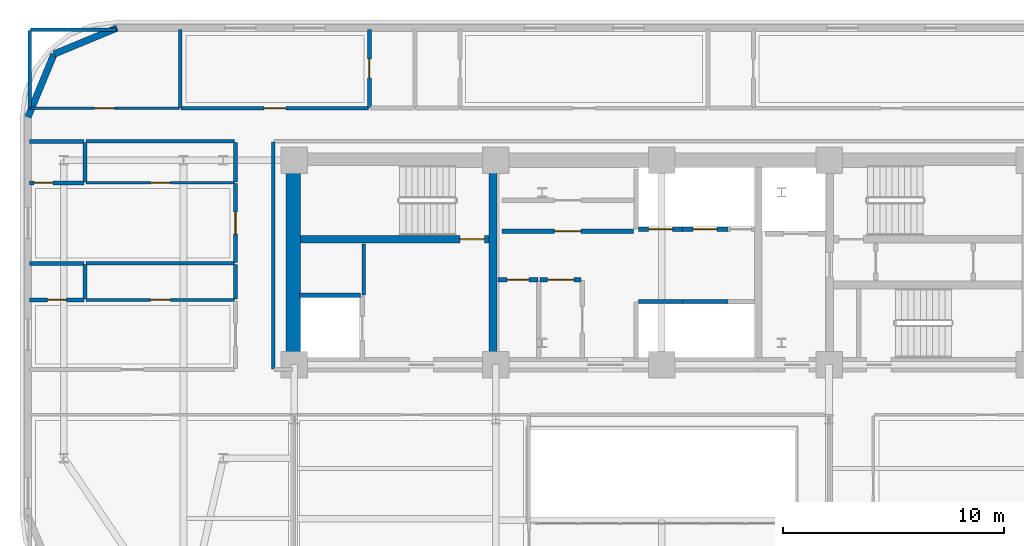
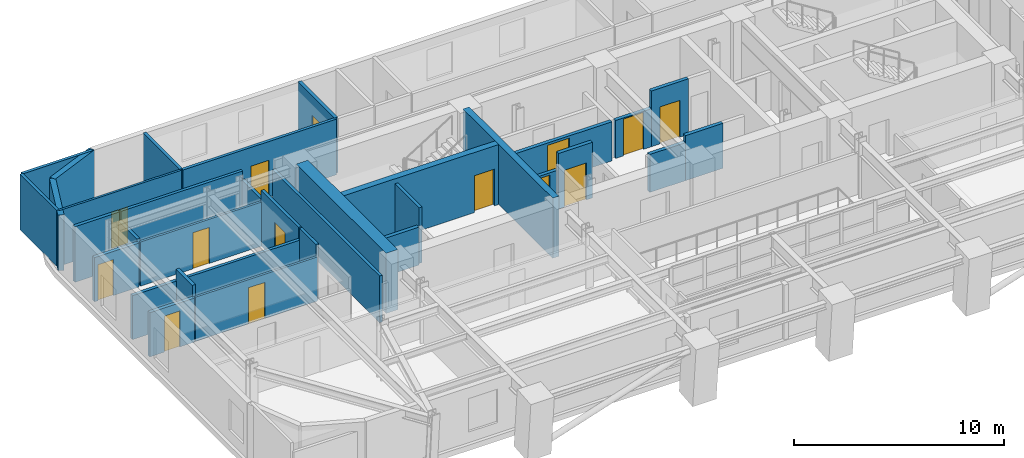
# One storey, part 9 of 15: 34 walls, 14 doors, 14 openings.
"""IFC4 building model written with IfcOpenShell, lengths in metres."""

from ifc_helpers import new_model, si_unit, direction, frame, frame_2d, origin, place, context, subcontext, project, spatial, rectangle, extrude, material, layer, layer_set, type_object, element, fill, save


model = new_model("IFC4")

# Units and contexts
model_context = context("Model", 3, precision=1e-05, world=origin(), true_north=direction((0.0, 1.0)))
body_context = subcontext(model_context, "Body", "Model", "MODEL_VIEW")
ifc_project = project(units=[si_unit("LENGTHUNIT", "METRE"), si_unit("AREAUNIT", "SQUARE_METRE"), si_unit("VOLUMEUNIT", "CUBIC_METRE"), si_unit("PLANEANGLEUNIT", "RADIAN"), si_unit("MASSUNIT", "GRAM", prefix="KILO")], contexts=[model_context])

# Site, building, storey
site_placement = place(None, origin())
site = spatial("IfcSite", under=ifc_project, at=site_placement, CompositionType="ELEMENT")
building_placement = place(site_placement, origin())
building = spatial("IfcBuilding", under=site, at=building_placement, Name="Zarnavel Station Tower", CompositionType="ELEMENT")
storey_placement = place(building_placement, frame((0.0, 0.0, 125.800048828125)))
storey = spatial("IfcBuildingStorey", under=building, at=storey_placement, Name="L34", CompositionType="ELEMENT", Elevation=125.800048828125)

# Wall
ifc_material_1 = material(Name="Concrete C50/60", Category="concrete")
ifc_layer_1 = layer(ifc_material_1, 0.35009765625)
ifc_layer_set_1 = layer_set([ifc_layer_1], Name="CW_350")
wall_type_1 = type_object("IfcWallType", Name="CW_350", PredefinedType="SHEAR", material=ifc_layer_set_1)
wall_1_placement = place(storey_placement, frame((21.179931640625, 28.14501953125, 0.0), z_axis=(0.0, 0.0, 1.0), x_axis=(0.0, 1.0, 0.0)))
element("IfcWall", 1, at=wall_1_placement, inside=storey, type_object=wall_type_1, Name="L34 Rear Core Shear Wall DIV-W", PredefinedType="SHEAR", context=body_context, shape_type="SweptSolid", body=[
    extrude(rectangle(XDim=8.580078125, YDim=0.35009765625, at=frame_2d((4.2900390625, 0.0))), origin(), (0.0, 0.0, 1.0), 3.5),
])

# Wall, opening, door
wall_2_placement = place(storey_placement, frame((21.0048828125, 33.47998046875, 0.0), z_axis=(0.0, 0.0, 1.0), x_axis=(-1.0, 0.0, 0.0)))
wall_2 = element("IfcWall", 2, at=wall_2_placement, inside=storey, type_object=wall_type_1, Name="L34 Rear Core Shear Wall DIV-H1", PredefinedType="SHEAR", context=body_context, shape_type="SweptSolid", body=[
    extrude(rectangle(XDim=8.52978515625, YDim=0.35009765625, at=frame_2d((4.264892578125, 0.0))), origin(), (0.0, 0.0, 1.0), 3.5),
])
opening_1_placement = place(wall_2_placement, frame((0.219970703125, 0.0, 0.0)))
opening_1 = element("IfcOpeningElement", 3, at=opening_1_placement, cuts=wall_2, Name="Opening FD01", PredefinedType="OPENING", context=body_context, shape_type="SweptSolid", body=[
    extrude(rectangle(XDim=1.10009765625, YDim=2.14990234375, at=frame_2d((0.550048828125, 1.074951171875))), frame((0.0, 0.18505859375, 0.0), z_axis=(0.0, -1.0, 0.0), x_axis=(1.0, 0.0, 0.0)), (0.0, 0.0, 1.0), 0.3701171875),
])
ifc_material_2 = material(Name="Painted Galvanised Steel and Hardwood Leaf", Category="steel")
door_type_1 = type_object("IfcDoorType", Name="ID_STAIR_1100", OperationType="NOTDEFINED", PredefinedType="DOOR", material=ifc_material_2)
door_1_placement = place(opening_1_placement, origin())
door_1 = element("IfcDoor", 4, at=door_1_placement, inside=storey, type_object=door_type_1, Name="L34 Stair ST1 Lobby Fire Door", OperationType="SINGLE_SWING_LEFT", OverallHeight=2.14990234375, OverallWidth=1.10009765625, PredefinedType="DOOR", context=body_context, shape_type="SweptSolid", body=[
    extrude(rectangle(XDim=1.10009765625, YDim=2.14990234375, at=frame_2d((0.550048828125, 1.074951171875))), frame((0.0, 0.02490234375, 0.0), z_axis=(0.0, -1.0, 0.0), x_axis=(1.0, 0.0, 0.0)), (0.0, 0.0, 1.0), 0.050048828125),
])
fill(opening_1, door_1)

# Walls
ifc_material_3 = material(Name="Concrete C60/75", Category="concrete")
ifc_layer_2 = layer(ifc_material_3, 0.64990234375)
ifc_layer_set_2 = layer_set([ifc_layer_2], Name="CW_650")
wall_type_2 = type_object("IfcWallType", Name="CW_650", PredefinedType="SHEAR", material=ifc_layer_set_2)
wall_3_placement = place(storey_placement, frame((12.14990234375, 28.14501953125, 0.0), z_axis=(0.0, 0.0, 1.0), x_axis=(0.0, 1.0, 0.0)))
element("IfcWall", 5, at=wall_3_placement, inside=storey, type_object=wall_type_2, Name="L34 Rear Core Shear Wall W", PredefinedType="SHEAR", context=body_context, shape_type="SweptSolid", body=[
    extrude(rectangle(XDim=8.580078125, YDim=0.64990234375, at=frame_2d((4.2900390625, 0.0))), origin(), (0.0, 0.0, 1.0), 3.5),
])
ifc_material_4 = material(Name="Precast concrete C45/55 (Dark Basalt Finish)", Category="masonry")
ifc_layer_3 = layer(ifc_material_4, 0.300048828125)
ifc_layer_set_3 = layer_set([ifc_layer_3], Name="EW_BASALT_300")
wall_type_3 = type_object("IfcWallType", Name="EW_BASALT_300", PredefinedType="SOLIDWALL", material=ifc_layer_set_3)
for number, where, z_axis, x_axis, name in (
    (6, (1.357421875, 41.842529296875, 0.0), (0.0, 0.0, 1.0), (0.923870793506, 0.382704529509, 0.0), "L34 Exterior Basalt Masonry Frame Wall 07"),
    (7, (0.179931640625, 39.0, 0.0), (0.0, 0.0, 1.0), (0.382704529509, 0.923870793506, 0.0), "L34 Exterior Basalt Masonry Frame Wall 08"),
):
    element("IfcWall", number, at=place(storey_placement, frame(where, z_axis=z_axis, x_axis=x_axis)), inside=storey, type_object=wall_type_3, Name=name, PredefinedType="SOLIDWALL", context=body_context, shape_type="SweptSolid", body=[
        extrude(rectangle(XDim=3.07666015625, YDim=0.300048828125, at=frame_2d((1.538330078125, 0.0))), origin(), (0.0, 0.0, 1.0), 3.239990234375),
    ])
ifc_material_5 = material(Name="Gypsum Twin-Stud Acoustic Fire Partition", Category="concrete")
ifc_layer_4 = layer(ifc_material_5, 0.159912109375)
ifc_layer_set_4 = layer_set([ifc_layer_4], Name="PT_DEMISE_160")
wall_type_4 = type_object("IfcWallType", Name="PT_DEMISE_160", PredefinedType="PARTITIONING", material=ifc_layer_set_4)
wall_4_placement = place(storey_placement, frame((9.550048828125, 30.781005859375, 0.0), z_axis=(0.0, 0.0, 1.0), x_axis=(0.0, 1.0, 0.0)))
element("IfcWall", 8, at=wall_4_placement, inside=storey, type_object=wall_type_4, Name="L34 Partition COR-W-FNW1S", PredefinedType="PARTITIONING", context=body_context, shape_type="SweptSolid", body=[
    extrude(rectangle(XDim=1.570068359375, YDim=0.159912109375, at=frame_2d((0.78515625, 0.0))), origin(), (0.0, 0.0, 1.0), 3.239990234375),
])

# Wall, opening, door
wall_5_placement = place(storey_placement, frame((9.550048828125, 32.430908203125, 0.0), z_axis=(0.0, 0.0, 1.0), x_axis=(0.0, 1.0, 0.0)))
wall_5 = element("IfcWall", 9, at=wall_5_placement, inside=storey, type_object=wall_type_4, Name="L34 Partition COR-W-FNW2R", PredefinedType="PARTITIONING", context=body_context, shape_type="SweptSolid", body=[
    extrude(rectangle(XDim=3.55615234375, YDim=0.159912109375, at=frame_2d((1.778076171875, 0.0))), origin(), (0.0, 0.0, 1.0), 3.239990234375),
])
opening_2_placement = place(wall_5_placement, frame((1.278076171875, 0.0, 0.0)))
opening_2 = element("IfcOpeningElement", 10, at=opening_2_placement, cuts=wall_5, Name="Opening FD02", PredefinedType="OPENING", context=body_context, shape_type="SweptSolid", body=[
    extrude(rectangle(XDim=1.0, YDim=2.14990234375, at=frame_2d((0.5, 1.074951171875))), frame((0.0, 0.08984375, 0.0), z_axis=(0.0, -1.0, 0.0), x_axis=(1.0, 0.0, 0.0)), (0.0, 0.0, 1.0), 0.179931640625),
])
ifc_material_6 = material(Name="Painted Galvanised Steel and Hardwood Leaf", Category="steel")
door_type_2 = type_object("IfcDoorType", Name="ID_ENTRY_1000", OperationType="NOTDEFINED", PredefinedType="DOOR", material=ifc_material_6)
door_2_placement = place(opening_2_placement, origin())
door_2 = element("IfcDoor", 11, at=door_2_placement, inside=storey, type_object=door_type_2, Name="L34 Door COR-W-FNW2R", OperationType="SINGLE_SWING_LEFT", OverallHeight=2.14990234375, OverallWidth=1.0, PredefinedType="DOOR", context=body_context, shape_type="SweptSolid", body=[
    extrude(rectangle(XDim=1.0, YDim=2.14990234375, at=frame_2d((0.5, 1.074951171875))), frame((0.0, 0.02490234375, 0.0), z_axis=(0.0, -1.0, 0.0), x_axis=(1.0, 0.0, 0.0)), (0.0, 0.0, 1.0), 0.050048828125),
])
fill(opening_2, door_2)

# Walls
wall_6_placement = place(storey_placement, frame((9.550048828125, 36.06689453125, 0.0), z_axis=(0.0, 0.0, 1.0), x_axis=(0.0, 1.0, 0.0)))
element("IfcWall", 12, at=wall_6_placement, inside=storey, type_object=wall_type_4, Name="L34 Partition COR-W-FNW2S", PredefinedType="PARTITIONING", context=body_context, shape_type="SweptSolid", body=[
    extrude(rectangle(XDim=1.793212890625, YDim=0.159912109375, at=frame_2d((0.896484375, 0.0))), origin(), (0.0, 0.0, 1.0), 2.719970703125),
])
wall_7_placement = place(storey_placement, frame((2.800048828125, 37.89990234375, 0.0), z_axis=(0.0, 0.0, 1.0), x_axis=(1.0, 0.0, 0.0)))
element("IfcWall", 13, at=wall_7_placement, inside=storey, type_object=wall_type_4, Name="L34 Partition COR-N-FNW2S", PredefinedType="PARTITIONING", context=body_context, shape_type="SweptSolid", body=[
    extrude(rectangle(XDim=6.7099609375, YDim=0.159912109375, at=frame_2d((3.35498046875, 0.0))), origin(), (0.0, 0.0, 1.0), 3.239990234375),
])

# Wall, opening, door
wall_8_placement = place(storey_placement, frame((7.10009765625, 39.39990234375, 0.0), z_axis=(0.0, 0.0, 1.0), x_axis=(1.0, 0.0, 0.0)))
wall_8 = element("IfcWall", 14, at=wall_8_placement, inside=storey, type_object=wall_type_4, Name="L34 Partition COR-N-HN1R", PredefinedType="PARTITIONING", context=body_context, shape_type="SweptSolid", body=[
    extrude(rectangle(XDim=8.454833984375, YDim=0.159912109375, at=frame_2d((4.2275390625, 0.0))), origin(), (0.0, 0.0, 1.0), 3.239990234375),
])
opening_3_placement = place(wall_8_placement, frame((3.7275390625, 0.0, 0.0)))
opening_3 = element("IfcOpeningElement", 15, at=opening_3_placement, cuts=wall_8, Name="Opening FD02", PredefinedType="OPENING", context=body_context, shape_type="SweptSolid", body=[
    extrude(rectangle(XDim=1.0, YDim=2.14990234375, at=frame_2d((0.5, 1.074951171875))), frame((0.0, 0.08984375, 0.0), z_axis=(0.0, -1.0, 0.0), x_axis=(1.0, 0.0, 0.0)), (0.0, 0.0, 1.0), 0.179931640625),
])
door_3_placement = place(opening_3_placement, origin())
door_3 = element("IfcDoor", 16, at=door_3_placement, inside=storey, type_object=door_type_2, Name="L34 Door COR-N-HN1R", OperationType="SINGLE_SWING_LEFT", OverallHeight=2.14990234375, OverallWidth=1.0, PredefinedType="DOOR", context=body_context, shape_type="SweptSolid", body=[
    extrude(rectangle(XDim=1.0, YDim=2.14990234375, at=frame_2d((0.5, 1.074951171875))), frame((0.0, 0.02490234375, 0.0), z_axis=(0.0, -1.0, 0.0), x_axis=(1.0, 0.0, 0.0)), (0.0, 0.0, 1.0), 0.050048828125),
])
fill(opening_3, door_3)

# Walls
wall_9_placement = place(storey_placement, frame((2.800048828125, 32.39111328125, 0.0), z_axis=(0.0, 0.0, 1.0), x_axis=(1.0, 0.0, 0.0)))
element("IfcWall", 17, at=wall_9_placement, inside=storey, type_object=wall_type_4, Name="L34 Partition FNW1S-FNW2R", PredefinedType="PARTITIONING", context=body_context, shape_type="SweptSolid", body=[
    extrude(rectangle(XDim=6.7099609375, YDim=0.159912109375, at=frame_2d((3.35498046875, 0.0))), origin(), (0.0, 0.0, 1.0), 2.570068359375),
])
wall_10_placement = place(storey_placement, frame((7.06005859375, 39.43994140625, 0.0), z_axis=(0.0, 0.0, 1.0), x_axis=(0.0, 1.0, 0.0)))
element("IfcWall", 18, at=wall_10_placement, inside=storey, type_object=wall_type_4, Name="L34 Partition HSKP-HN1R", PredefinedType="PARTITIONING", context=body_context, shape_type="SweptSolid", body=[
    extrude(rectangle(XDim=3.5, YDim=0.159912109375, at=frame_2d((1.75, 0.0))), origin(), (0.0, 0.0, 1.0), 3.239990234375),
])
wall_11_placement = place(storey_placement, frame((15.35009765625, 30.9599609375, 0.0), z_axis=(0.0, 0.0, 1.0), x_axis=(0.0, 1.0, 0.0)))
element("IfcWall", 19, at=wall_11_placement, inside=storey, type_object=wall_type_4, Name="L34 Enclosure Wall FFL1", PredefinedType="PARTITIONING", context=body_context, shape_type="SweptSolid", body=[
    extrude(rectangle(XDim=2.31005859375, YDim=0.159912109375, at=frame_2d((1.155029296875, 0.0))), origin(), (0.0, 0.0, 1.0), 3.239990234375),
])
wall_12_placement = place(storey_placement, frame((11.25, 27.6298828125, 0.0), z_axis=(0.0, 0.0, 1.0), x_axis=(0.0, 1.0, 0.0)))
element("IfcWall", 20, at=wall_12_placement, inside=storey, type_object=wall_type_4, Name="L34 Enclosure Wall COR-W", PredefinedType="PARTITIONING", context=body_context, shape_type="SweptSolid", body=[
    extrude(rectangle(XDim=10.240234375, YDim=0.159912109375, at=frame_2d((5.1201171875, 0.0))), origin(), (0.0, 0.0, 1.0), 2.719970703125),
])
wall_13_placement = place(storey_placement, frame((0.2900390625, 42.93994140625, 0.0), z_axis=(0.0, 0.0, 1.0), x_axis=(1.0, 0.0, 0.0)))
element("IfcWall", 21, at=wall_13_placement, inside=storey, type_object=wall_type_4, Name="L34 Enclosure Wall HSKP", PredefinedType="PARTITIONING", context=body_context, shape_type="SweptSolid", body=[
    extrude(rectangle(XDim=3.8798828125, YDim=0.159912109375, at=frame_2d((1.93994140625, 0.0))), origin(), (0.0, 0.0, 1.0), 3.239990234375),
])
wall_14_placement = place(storey_placement, frame((0.260009765625, 39.429931640625, 0.0), z_axis=(0.0, 0.0, 1.0), x_axis=(0.0, 1.0, 0.0)))
element("IfcWall", 22, at=wall_14_placement, inside=storey, type_object=wall_type_4, Name="L34 Enclosure Wall HSKP", PredefinedType="PARTITIONING", context=body_context, shape_type="SweptSolid", body=[
    extrude(rectangle(XDim=3.47998046875, YDim=0.159912109375, at=frame_2d((1.739990234375, 0.0))), origin(), (0.0, 0.0, 1.0), 3.239990234375),
])

# Wall, opening, door
ifc_material_7 = material(Name="Gypsum Metal-Stud Interior Partition", Category="concrete")
ifc_layer_5 = layer(ifc_material_7, 0.1201171875)
ifc_layer_set_5 = layer_set([ifc_layer_5], Name="PT_ROOM_120")
wall_type_5 = type_object("IfcWallType", Name="PT_ROOM_120", PredefinedType="PARTITIONING", material=ifc_layer_set_5)
wall_15_placement = place(storey_placement, frame((0.260009765625, 39.39990234375, 0.0), z_axis=(0.0, 0.0, 1.0), x_axis=(1.0, 0.0, 0.0)))
wall_15 = element("IfcWall", 23, at=wall_15_placement, inside=storey, type_object=wall_type_5, Name="L34 Partition COR-N-HSKP", PredefinedType="PARTITIONING", context=body_context, shape_type="SweptSolid", body=[
    extrude(rectangle(XDim=6.760009765625, YDim=0.1201171875, at=frame_2d((3.3798828125, 0.0))), origin(), (0.0, 0.0, 1.0), 3.239990234375),
])
opening_4_placement = place(wall_15_placement, frame((2.929931640625, 0.0, 0.0)))
opening_4 = element("IfcOpeningElement", 24, at=opening_4_placement, cuts=wall_15, Name="Opening ID01", PredefinedType="OPENING", context=body_context, shape_type="SweptSolid", body=[
    extrude(rectangle(XDim=0.89990234375, YDim=2.10009765625, at=frame_2d((0.449951171875, 1.050048828125))), frame((0.0, 0.070068359375, 0.0), z_axis=(0.0, -1.0, 0.0), x_axis=(1.0, 0.0, 0.0)), (0.0, 0.0, 1.0), 0.14013671875),
])
ifc_material_8 = material(Name="Painted Galvanised Steel and Hardwood Leaf", Category="steel")
door_type_3 = type_object("IfcDoorType", Name="ID_ROOM_900", OperationType="NOTDEFINED", PredefinedType="DOOR", material=ifc_material_8)
door_4_placement = place(opening_4_placement, origin())
door_4 = element("IfcDoor", 25, at=door_4_placement, inside=storey, type_object=door_type_3, Name="L34 Door COR-N-HSKP", OperationType="SINGLE_SWING_RIGHT", OverallHeight=2.10009765625, OverallWidth=0.89990234375, PredefinedType="DOOR", context=body_context, shape_type="SweptSolid", body=[
    extrude(rectangle(XDim=0.89990234375, YDim=2.10009765625, at=frame_2d((0.449951171875, 1.050048828125))), frame((0.0, 0.02490234375, 0.0), z_axis=(0.0, -1.0, 0.0), x_axis=(1.0, 0.0, 0.0)), (0.0, 0.0, 1.0), 0.050048828125),
])
fill(opening_4, door_4)

wall_16_placement = place(storey_placement, frame((2.800048828125, 30.740966796875, 0.0), z_axis=(0.0, 0.0, 1.0), x_axis=(1.0, 0.0, 0.0)))
wall_16 = element("IfcWall", 26, at=wall_16_placement, inside=storey, type_object=wall_type_5, Name="L34 Partition FNW1R-FNW1S", PredefinedType="PARTITIONING", context=body_context, shape_type="SweptSolid", body=[
    extrude(rectangle(XDim=6.7099609375, YDim=0.1201171875, at=frame_2d((3.35498046875, 0.0))), origin(), (0.0, 0.0, 1.0), 2.570068359375),
])
opening_5_placement = place(wall_16_placement, frame((2.905029296875, 0.0, 0.0)))
opening_5 = element("IfcOpeningElement", 27, at=opening_5_placement, cuts=wall_16, Name="Opening ID01", PredefinedType="OPENING", context=body_context, shape_type="SweptSolid", body=[
    extrude(rectangle(XDim=0.89990234375, YDim=2.10009765625, at=frame_2d((0.449951171875, 1.050048828125))), frame((0.0, 0.070068359375, 0.0), z_axis=(0.0, -1.0, 0.0), x_axis=(1.0, 0.0, 0.0)), (0.0, 0.0, 1.0), 0.14013671875),
])
door_5_placement = place(opening_5_placement, origin())
door_5 = element("IfcDoor", 28, at=door_5_placement, inside=storey, type_object=door_type_3, Name="L34 Door FNW1R-FNW1S", OperationType="SINGLE_SWING_LEFT", OverallHeight=2.10009765625, OverallWidth=0.89990234375, PredefinedType="DOOR", context=body_context, shape_type="SweptSolid", body=[
    extrude(rectangle(XDim=0.89990234375, YDim=2.10009765625, at=frame_2d((0.449951171875, 1.050048828125))), frame((0.0, 0.02490234375, 0.0), z_axis=(0.0, -1.0, 0.0), x_axis=(1.0, 0.0, 0.0)), (0.0, 0.0, 1.0), 0.050048828125),
])
fill(opening_5, door_5)

wall_17_placement = place(storey_placement, frame((2.800048828125, 36.027099609375, 0.0), z_axis=(0.0, 0.0, 1.0), x_axis=(1.0, 0.0, 0.0)))
wall_17 = element("IfcWall", 29, at=wall_17_placement, inside=storey, type_object=wall_type_5, Name="L34 Partition FNW2R-FNW2S", PredefinedType="PARTITIONING", context=body_context, shape_type="SweptSolid", body=[
    extrude(rectangle(XDim=6.7099609375, YDim=0.1201171875, at=frame_2d((3.35498046875, 0.0))), origin(), (0.0, 0.0, 1.0), 2.570068359375),
])
opening_6_placement = place(wall_17_placement, frame((2.905029296875, 0.0, 0.0)))
opening_6 = element("IfcOpeningElement", 30, at=opening_6_placement, cuts=wall_17, Name="Opening ID01", PredefinedType="OPENING", context=body_context, shape_type="SweptSolid", body=[
    extrude(rectangle(XDim=0.89990234375, YDim=2.10009765625, at=frame_2d((0.449951171875, 1.050048828125))), frame((0.0, 0.070068359375, 0.0), z_axis=(0.0, -1.0, 0.0), x_axis=(1.0, 0.0, 0.0)), (0.0, 0.0, 1.0), 0.14013671875),
])
door_6_placement = place(opening_6_placement, origin())
door_6 = element("IfcDoor", 31, at=door_6_placement, inside=storey, type_object=door_type_3, Name="L34 Door FNW2R-FNW2S", OperationType="SINGLE_SWING_LEFT", OverallHeight=2.10009765625, OverallWidth=0.89990234375, PredefinedType="DOOR", context=body_context, shape_type="SweptSolid", body=[
    extrude(rectangle(XDim=0.89990234375, YDim=2.10009765625, at=frame_2d((0.449951171875, 1.050048828125))), frame((0.0, 0.02490234375, 0.0), z_axis=(0.0, -1.0, 0.0), x_axis=(1.0, 0.0, 0.0)), (0.0, 0.0, 1.0), 0.050048828125),
])
fill(opening_6, door_6)

# Walls
ifc_material_9 = material(Name="Precast concrete C45/55 (Fire Shaft Blockwork)", Category="masonry")
ifc_layer_6 = layer(ifc_material_9, 0.199951171875)
ifc_layer_set_6 = layer_set([ifc_layer_6], Name="PT_SHAFT_200")
wall_type_6 = type_object("IfcWallType", Name="PT_SHAFT_200", PredefinedType="PARTITIONING", material=ifc_layer_set_6)
wall_18_placement = place(storey_placement, frame((12.449951171875, 30.949951171875, 0.0), z_axis=(0.0, 0.0, 1.0), x_axis=(1.0, 0.0, 0.0)))
element("IfcWall", 32, at=wall_18_placement, inside=storey, type_object=wall_type_6, Name="L34 Lift FFL-01 North Shaft Wall", PredefinedType="PARTITIONING", context=body_context, shape_type="SweptSolid", body=[
    extrude(rectangle(XDim=2.75, YDim=0.199951171875, at=frame_2d((1.375, 0.0))), origin(), (0.0, 0.0, 1.0), 2.2119140625),
])
wall_19_placement = place(storey_placement, frame((27.75, 30.669921875, 0.0), z_axis=(0.0, 0.0, 1.0), x_axis=(1.0, 0.0, 0.0)))
element("IfcWall", 33, at=wall_19_placement, inside=storey, type_object=wall_type_6, Name="L34 Lift PL-H1 Shaft Front Wall", PredefinedType="PARTITIONING", context=body_context, shape_type="SweptSolid", body=[
    extrude(rectangle(XDim=1.97509765625, YDim=0.199951171875, at=frame_2d((0.987548828125, 0.0))), origin(), (0.0, 0.0, 1.0), 2.2119140625),
])
wall_20_placement = place(storey_placement, frame((29.72509765625, 30.669921875, 0.0), z_axis=(0.0, 0.0, 1.0), x_axis=(1.0, 0.0, 0.0)))
element("IfcWall", 34, at=wall_20_placement, inside=storey, type_object=wall_type_6, Name="L34 Lift PL-H2 Shaft Front Wall", PredefinedType="PARTITIONING", context=body_context, shape_type="SweptSolid", body=[
    extrude(rectangle(XDim=2.0498046875, YDim=0.199951171875, at=frame_2d((1.02490234375, 0.0))), origin(), (0.0, 0.0, 1.0), 2.619873046875),
])

# Wall, opening, door
wall_21_placement = place(storey_placement, frame((27.75, 33.929931640625, 0.0), z_axis=(0.0, 0.0, 1.0), x_axis=(1.0, 0.0, 0.0)))
wall_21 = element("IfcWall", 35, at=wall_21_placement, inside=storey, type_object=wall_type_6, Name="L34 Lift PL-M1 Shaft Front Wall", PredefinedType="PARTITIONING", context=body_context, shape_type="SweptSolid", body=[
    extrude(rectangle(XDim=1.97509765625, YDim=0.199951171875, at=frame_2d((0.987548828125, 0.0))), origin(), (0.0, 0.0, 1.0), 2.2119140625),
])
opening_7_placement = place(wall_21_placement, frame((0.4375, 0.0, 0.0)))
opening_7 = element("IfcOpeningElement", 36, at=opening_7_placement, cuts=wall_21, Name="Opening LD02", PredefinedType="OPENING", context=body_context, shape_type="SweptSolid", body=[
    extrude(rectangle(XDim=1.10009765625, YDim=2.14990234375, at=frame_2d((0.550048828125, 1.074951171875))), frame((0.0, 0.10986328125, 0.0), z_axis=(0.0, -1.0, 0.0), x_axis=(1.0, 0.0, 0.0)), (0.0, 0.0, 1.0), 0.219970703125),
])
ifc_material_10 = material(Name="Painted Galvanised Steel and Hardwood Leaf", Category="steel")
door_type_4 = type_object("IfcDoorType", Name="LD_PAX_1100", OperationType="DOUBLE_DOOR_SLIDING", PredefinedType="DOOR", material=ifc_material_10)
door_7_placement = place(opening_7_placement, origin())
door_7 = element("IfcDoor", 37, at=door_7_placement, inside=storey, type_object=door_type_4, Name="L34 Lift PL-M1 Sliding Landing Door", OperationType="DOUBLE_DOOR_SLIDING", OverallHeight=2.14990234375, OverallWidth=1.10009765625, PredefinedType="DOOR", context=body_context, shape_type="SweptSolid", body=[
    extrude(rectangle(XDim=1.10009765625, YDim=2.14990234375, at=frame_2d((0.550048828125, 1.074951171875))), frame((0.0, 0.02490234375, 0.0), z_axis=(0.0, -1.0, 0.0), x_axis=(1.0, 0.0, 0.0)), (0.0, 0.0, 1.0), 0.050048828125),
])
fill(opening_7, door_7)

wall_22_placement = place(storey_placement, frame((29.72509765625, 33.929931640625, 0.0), z_axis=(0.0, 0.0, 1.0), x_axis=(1.0, 0.0, 0.0)))
wall_22 = element("IfcWall", 38, at=wall_22_placement, inside=storey, type_object=wall_type_6, Name="L34 Lift PL-M2 Shaft Front Wall", PredefinedType="PARTITIONING", context=body_context, shape_type="SweptSolid", body=[
    extrude(rectangle(XDim=2.0498046875, YDim=0.199951171875, at=frame_2d((1.02490234375, 0.0))), origin(), (0.0, 0.0, 1.0), 3.239990234375),
])
opening_8_placement = place(wall_22_placement, frame((0.47509765625, 0.0, 0.0)))
opening_8 = element("IfcOpeningElement", 39, at=opening_8_placement, cuts=wall_22, Name="Opening LD02", PredefinedType="OPENING", context=body_context, shape_type="SweptSolid", body=[
    extrude(rectangle(XDim=1.10009765625, YDim=2.14990234375, at=frame_2d((0.550048828125, 1.074951171875))), frame((0.0, 0.10986328125, 0.0), z_axis=(0.0, -1.0, 0.0), x_axis=(1.0, 0.0, 0.0)), (0.0, 0.0, 1.0), 0.219970703125),
])
door_8_placement = place(opening_8_placement, origin())
door_8 = element("IfcDoor", 40, at=door_8_placement, inside=storey, type_object=door_type_4, Name="L34 Lift PL-M2 Sliding Landing Door", OperationType="DOUBLE_DOOR_SLIDING", OverallHeight=2.14990234375, OverallWidth=1.10009765625, PredefinedType="DOOR", context=body_context, shape_type="SweptSolid", body=[
    extrude(rectangle(XDim=1.10009765625, YDim=2.14990234375, at=frame_2d((0.550048828125, 1.074951171875))), frame((0.0, 0.02490234375, 0.0), z_axis=(0.0, -1.0, 0.0), x_axis=(1.0, 0.0, 0.0)), (0.0, 0.0, 1.0), 0.050048828125),
])
fill(opening_8, door_8)

wall_23_placement = place(storey_placement, frame((21.39990234375, 31.64990234375, 0.0), z_axis=(0.0, 0.0, 1.0), x_axis=(1.0, 0.0, 0.0)))
wall_23 = element("IfcWall", 41, at=wall_23_placement, inside=storey, type_object=wall_type_6, Name="L34 Partition LLOB-CS1", PredefinedType="PARTITIONING", context=body_context, shape_type="SweptSolid", body=[
    extrude(rectangle(XDim=1.81005859375, YDim=0.199951171875, at=frame_2d((0.905029296875, 0.0))), origin(), (0.0, 0.0, 1.0), 2.280029296875),
])
opening_9_placement = place(wall_23_placement, frame((0.405029296875, 0.0, 0.0)))
opening_9 = element("IfcOpeningElement", 42, at=opening_9_placement, cuts=wall_23, Name="Opening FD02", PredefinedType="OPENING", context=body_context, shape_type="SweptSolid", body=[
    extrude(rectangle(XDim=1.0, YDim=2.14990234375, at=frame_2d((0.5, 1.074951171875))), frame((0.0, 0.10986328125, 0.0), z_axis=(0.0, -1.0, 0.0), x_axis=(1.0, 0.0, 0.0)), (0.0, 0.0, 1.0), 0.219970703125),
])
door_9_placement = place(opening_9_placement, origin())
door_9 = element("IfcDoor", 43, at=door_9_placement, inside=storey, type_object=door_type_2, Name="L34 Door LLOB-CS1", OperationType="SINGLE_SWING_LEFT", OverallHeight=2.14990234375, OverallWidth=1.0, PredefinedType="DOOR", context=body_context, shape_type="SweptSolid", body=[
    extrude(rectangle(XDim=1.0, YDim=2.14990234375, at=frame_2d((0.5, 1.074951171875))), frame((0.0, 0.02490234375, 0.0), z_axis=(0.0, -1.0, 0.0), x_axis=(1.0, 0.0, 0.0)), (0.0, 0.0, 1.0), 0.050048828125),
])
fill(opening_9, door_9)

wall_24_placement = place(storey_placement, frame((23.2900390625, 31.64990234375, 0.0), z_axis=(0.0, 0.0, 1.0), x_axis=(1.0, 0.0, 0.0)))
wall_24 = element("IfcWall", 44, at=wall_24_placement, inside=storey, type_object=wall_type_6, Name="L34 Partition LLOB-CS2", PredefinedType="PARTITIONING", context=body_context, shape_type="SweptSolid", body=[
    extrude(rectangle(XDim=1.869873046875, YDim=0.199951171875, at=frame_2d((0.93505859375, 0.0))), origin(), (0.0, 0.0, 1.0), 3.239990234375),
])
opening_10_placement = place(wall_24_placement, frame((0.3349609375, 0.0, 0.0)))
opening_10 = element("IfcOpeningElement", 45, at=opening_10_placement, cuts=wall_24, Name="Opening FD03", PredefinedType="OPENING", context=body_context, shape_type="SweptSolid", body=[
    extrude(rectangle(XDim=1.199951171875, YDim=2.14990234375, at=frame_2d((0.60009765625, 1.074951171875))), frame((0.0, 0.10986328125, 0.0), z_axis=(0.0, -1.0, 0.0), x_axis=(1.0, 0.0, 0.0)), (0.0, 0.0, 1.0), 0.219970703125),
])
ifc_material_11 = material(Name="Painted Galvanised Steel and Hardwood Leaf", Category="steel")
door_type_5 = type_object("IfcDoorType", Name="ID_PLANT_1200", OperationType="NOTDEFINED", PredefinedType="DOOR", material=ifc_material_11)
door_10_placement = place(opening_10_placement, origin())
door_10 = element("IfcDoor", 46, at=door_10_placement, inside=storey, type_object=door_type_5, Name="L34 Door LLOB-CS2", OperationType="SINGLE_SWING_RIGHT", OverallHeight=2.14990234375, OverallWidth=1.199951171875, PredefinedType="DOOR", context=body_context, shape_type="SweptSolid", body=[
    extrude(rectangle(XDim=1.199951171875, YDim=2.14990234375, at=frame_2d((0.60009765625, 1.074951171875))), frame((0.0, 0.02490234375, 0.0), z_axis=(0.0, -1.0, 0.0), x_axis=(1.0, 0.0, 0.0)), (0.0, 0.0, 1.0), 0.050048828125),
])
fill(opening_10, door_10)

wall_25_placement = place(storey_placement, frame((21.590087890625, 33.85009765625, 0.0), z_axis=(0.0, 0.0, 1.0), x_axis=(1.0, 0.0, 0.0)))
wall_25 = element("IfcWall", 47, at=wall_25_placement, inside=storey, type_object=wall_type_6, Name="L34 Partition LLOB-FB1A", PredefinedType="PARTITIONING", context=body_context, shape_type="SweptSolid", body=[
    extrude(rectangle(XDim=5.919921875, YDim=0.199951171875, at=frame_2d((2.9599609375, 0.0))), origin(), (0.0, 0.0, 1.0), 2.280029296875),
])
opening_11_placement = place(wall_25_placement, frame((2.360107421875, 0.0, 0.0)))
opening_11 = element("IfcOpeningElement", 48, at=opening_11_placement, cuts=wall_25, Name="Opening FD03", PredefinedType="OPENING", context=body_context, shape_type="SweptSolid", body=[
    extrude(rectangle(XDim=1.199951171875, YDim=2.14990234375, at=frame_2d((0.60009765625, 1.074951171875))), frame((0.0, 0.10986328125, 0.0), z_axis=(0.0, -1.0, 0.0), x_axis=(1.0, 0.0, 0.0)), (0.0, 0.0, 1.0), 0.219970703125),
])
door_11_placement = place(opening_11_placement, origin())
door_11 = element("IfcDoor", 49, at=door_11_placement, inside=storey, type_object=door_type_5, Name="L34 Door LLOB-FB1A", OperationType="SINGLE_SWING_LEFT", OverallHeight=2.14990234375, OverallWidth=1.199951171875, PredefinedType="DOOR", context=body_context, shape_type="SweptSolid", body=[
    extrude(rectangle(XDim=1.199951171875, YDim=2.14990234375, at=frame_2d((0.60009765625, 1.074951171875))), frame((0.0, 0.02490234375, 0.0), z_axis=(0.0, -1.0, 0.0), x_axis=(1.0, 0.0, 0.0)), (0.0, 0.0, 1.0), 0.050048828125),
])
fill(opening_11, door_11)

# Wall
ifc_material_12 = material(Name="Moisture-Resistant Plumbing Chase Wall", Category="concrete")
ifc_layer_7 = layer(ifc_material_12, 0.179931640625)
ifc_layer_set_7 = layer_set([ifc_layer_7], Name="PW_PLUMB_180")
wall_type_7 = type_object("IfcWallType", Name="PW_PLUMB_180", PredefinedType="PLUMBINGWALL", material=ifc_layer_set_7)
wall_26_placement = place(storey_placement, frame((0.260009765625, 37.89990234375, 0.0), z_axis=(0.0, 0.0, 1.0), x_axis=(1.0, 0.0, 0.0)))
element("IfcWall", 50, at=wall_26_placement, inside=storey, type_object=wall_type_7, Name="L34 Partition COR-N-FNW2B", PredefinedType="PLUMBINGWALL", context=body_context, shape_type="SweptSolid", body=[
    extrude(rectangle(XDim=2.4599609375, YDim=0.179931640625, at=frame_2d((1.22998046875, 0.0))), origin(), (0.0, 0.0, 1.0), 3.239990234375),
])

# Wall, opening, door
wall_27_placement = place(storey_placement, frame((0.260009765625, 30.740966796875, 0.0), z_axis=(0.0, 0.0, 1.0), x_axis=(1.0, 0.0, 0.0)))
wall_27 = element("IfcWall", 51, at=wall_27_placement, inside=storey, type_object=wall_type_7, Name="L34 Partition FNW1R-FNW1B", PredefinedType="PLUMBINGWALL", context=body_context, shape_type="SweptSolid", body=[
    extrude(rectangle(XDim=2.4599609375, YDim=0.179931640625, at=frame_2d((1.22998046875, 0.0))), origin(), (0.0, 0.0, 1.0), 2.570068359375),
])
opening_12_placement = place(wall_27_placement, frame((0.804931640625, 0.0, 0.0)))
opening_12 = element("IfcOpeningElement", 52, at=opening_12_placement, cuts=wall_27, Name="Opening ID02", PredefinedType="OPENING", context=body_context, shape_type="SweptSolid", body=[
    extrude(rectangle(XDim=0.85009765625, YDim=2.10009765625, at=frame_2d((0.425048828125, 1.050048828125))), frame((0.0, 0.099853515625, 0.0), z_axis=(0.0, -1.0, 0.0), x_axis=(1.0, 0.0, 0.0)), (0.0, 0.0, 1.0), 0.199951171875),
])
ifc_material_13 = material(Name="Painted Galvanised Steel and Hardwood Leaf", Category="steel")
door_type_6 = type_object("IfcDoorType", Name="ID_BATH_850", OperationType="NOTDEFINED", PredefinedType="DOOR", material=ifc_material_13)
door_12_placement = place(opening_12_placement, origin())
door_12 = element("IfcDoor", 53, at=door_12_placement, inside=storey, type_object=door_type_6, Name="L34 Door FNW1R-FNW1B", OperationType="SINGLE_SWING_RIGHT", OverallHeight=2.10009765625, OverallWidth=0.85009765625, PredefinedType="DOOR", context=body_context, shape_type="SweptSolid", body=[
    extrude(rectangle(XDim=0.85009765625, YDim=2.10009765625, at=frame_2d((0.425048828125, 1.050048828125))), frame((0.0, 0.02490234375, 0.0), z_axis=(0.0, -1.0, 0.0), x_axis=(1.0, 0.0, 0.0)), (0.0, 0.0, 1.0), 0.050048828125),
])
fill(opening_12, door_12)

# Walls
wall_28_placement = place(storey_placement, frame((2.760009765625, 30.781005859375, 0.0), z_axis=(0.0, 0.0, 1.0), x_axis=(0.0, 1.0, 0.0)))
element("IfcWall", 54, at=wall_28_placement, inside=storey, type_object=wall_type_7, Name="L34 Partition FNW1B-FNW1S", PredefinedType="PLUMBINGWALL", context=body_context, shape_type="SweptSolid", body=[
    extrude(rectangle(XDim=1.570068359375, YDim=0.179931640625, at=frame_2d((0.78515625, 0.0))), origin(), (0.0, 0.0, 1.0), 3.239990234375),
])
wall_29_placement = place(storey_placement, frame((0.260009765625, 32.39111328125, 0.0), z_axis=(0.0, 0.0, 1.0), x_axis=(1.0, 0.0, 0.0)))
element("IfcWall", 55, at=wall_29_placement, inside=storey, type_object=wall_type_7, Name="L34 Partition FNW1B-FNW2R", PredefinedType="PLUMBINGWALL", context=body_context, shape_type="SweptSolid", body=[
    extrude(rectangle(XDim=2.4599609375, YDim=0.179931640625, at=frame_2d((1.22998046875, 0.0))), origin(), (0.0, 0.0, 1.0), 2.570068359375),
])

# Wall, opening, door
wall_30_placement = place(storey_placement, frame((2.719970703125, 36.027099609375, 0.0), z_axis=(0.0, 0.0, 1.0), x_axis=(-1.0, 0.0, 0.0)))
wall_30 = element("IfcWall", 56, at=wall_30_placement, inside=storey, type_object=wall_type_7, Name="L34 Partition FNW2R-FNW2B", PredefinedType="PLUMBINGWALL", context=body_context, shape_type="SweptSolid", body=[
    extrude(rectangle(XDim=2.4599609375, YDim=0.179931640625, at=frame_2d((1.22998046875, 0.0))), origin(), (0.0, 0.0, 1.0), 2.570068359375),
])
opening_13_placement = place(wall_30_placement, frame((1.41455078125, 0.0, 0.0)))
opening_13 = element("IfcOpeningElement", 57, at=opening_13_placement, cuts=wall_30, Name="Opening ID02", PredefinedType="OPENING", context=body_context, shape_type="SweptSolid", body=[
    extrude(rectangle(XDim=0.85009765625, YDim=2.10009765625, at=frame_2d((0.425048828125, 1.050048828125))), frame((0.0, 0.099853515625, 0.0), z_axis=(0.0, -1.0, 0.0), x_axis=(1.0, 0.0, 0.0)), (0.0, 0.0, 1.0), 0.199951171875),
])
door_13_placement = place(opening_13_placement, origin())
door_13 = element("IfcDoor", 58, at=door_13_placement, inside=storey, type_object=door_type_6, Name="L34 Door FNW2R-FNW2B", OperationType="SINGLE_SWING_RIGHT", OverallHeight=2.10009765625, OverallWidth=0.85009765625, PredefinedType="DOOR", context=body_context, shape_type="SweptSolid", body=[
    extrude(rectangle(XDim=0.85009765625, YDim=2.10009765625, at=frame_2d((0.425048828125, 1.050048828125))), frame((0.0, 0.02490234375, 0.0), z_axis=(0.0, -1.0, 0.0), x_axis=(1.0, 0.0, 0.0)), (0.0, 0.0, 1.0), 0.050048828125),
])
fill(opening_13, door_13)

# Wall
wall_31_placement = place(storey_placement, frame((2.760009765625, 36.06689453125, 0.0), z_axis=(0.0, 0.0, 1.0), x_axis=(0.0, 1.0, 0.0)))
element("IfcWall", 59, at=wall_31_placement, inside=storey, type_object=wall_type_7, Name="L34 Partition FNW2B-FNW2S", PredefinedType="PLUMBINGWALL", context=body_context, shape_type="SweptSolid", body=[
    extrude(rectangle(XDim=1.793212890625, YDim=0.179931640625, at=frame_2d((0.896484375, 0.0))), origin(), (0.0, 0.0, 1.0), 2.719970703125),
])

# Wall, opening, door
wall_32_placement = place(storey_placement, frame((15.594970703125, 39.43994140625, 0.0), z_axis=(0.0, 0.0, 1.0), x_axis=(0.0, 1.0, 0.0)))
wall_32 = element("IfcWall", 60, at=wall_32_placement, inside=storey, type_object=wall_type_7, Name="L34 Partition HN1R-HN1B", PredefinedType="PLUMBINGWALL", context=body_context, shape_type="SweptSolid", body=[
    extrude(rectangle(XDim=3.5, YDim=0.179931640625, at=frame_2d((1.75, 0.0))), origin(), (0.0, 0.0, 1.0), 3.239990234375),
])
opening_14_placement = place(wall_32_placement, frame((1.324951171875, 0.0, 0.0)))
opening_14 = element("IfcOpeningElement", 61, at=opening_14_placement, cuts=wall_32, Name="Opening ID02", PredefinedType="OPENING", context=body_context, shape_type="SweptSolid", body=[
    extrude(rectangle(XDim=0.85009765625, YDim=2.10009765625, at=frame_2d((0.425048828125, 1.050048828125))), frame((0.0, 0.099853515625, 0.0), z_axis=(0.0, -1.0, 0.0), x_axis=(1.0, 0.0, 0.0)), (0.0, 0.0, 1.0), 0.199951171875),
])
door_14_placement = place(opening_14_placement, origin())
door_14 = element("IfcDoor", 62, at=door_14_placement, inside=storey, type_object=door_type_6, Name="L34 Door HN1R-HN1B", OperationType="SINGLE_SWING_RIGHT", OverallHeight=2.10009765625, OverallWidth=0.85009765625, PredefinedType="DOOR", context=body_context, shape_type="SweptSolid", body=[
    extrude(rectangle(XDim=0.85009765625, YDim=2.10009765625, at=frame_2d((0.425048828125, 1.050048828125))), frame((0.0, 0.02490234375, 0.0), z_axis=(0.0, -1.0, 0.0), x_axis=(1.0, 0.0, 0.0)), (0.0, 0.0, 1.0), 0.050048828125),
])
fill(opening_14, door_14)

save(model, "model.ifc")
